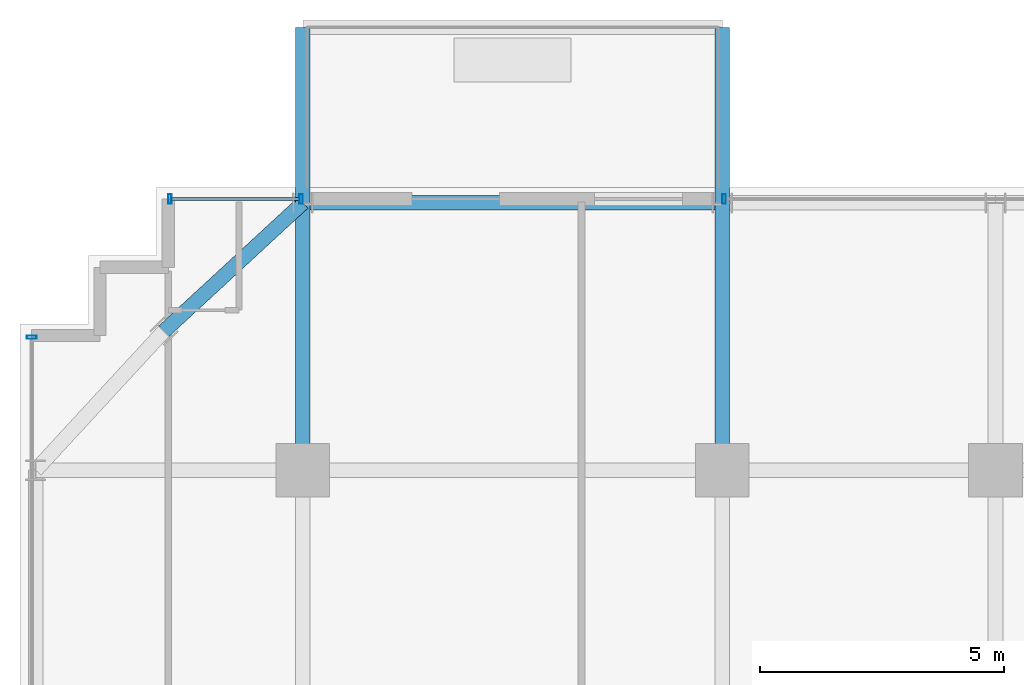
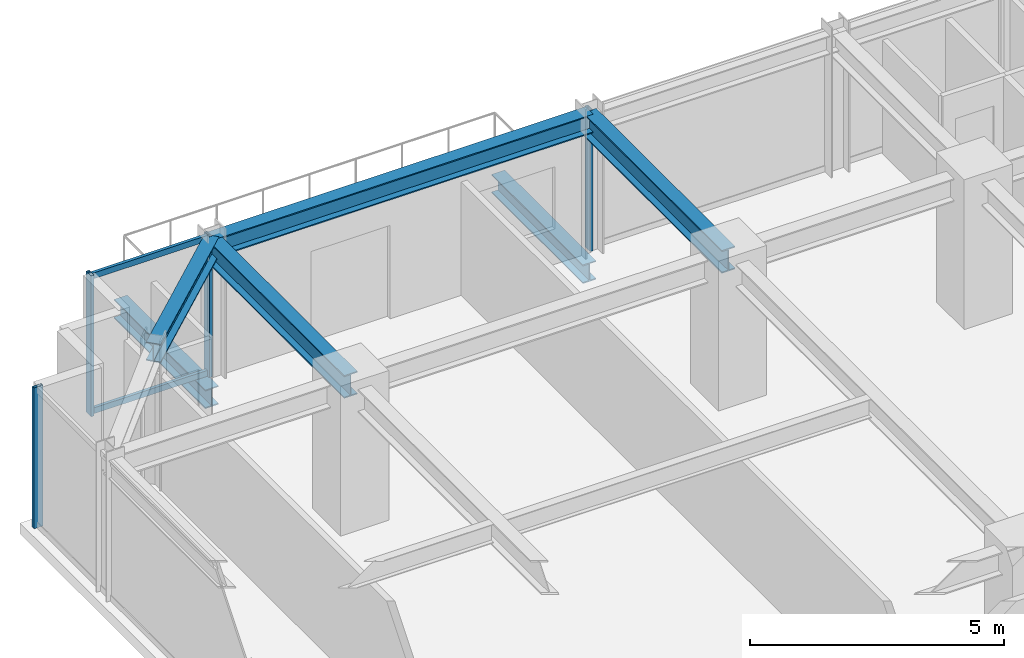
# One storey, part 22 of 36: 6 beams, 6 members, 3 elements without a shape of their own.
"""IFC4 building model written with IfcOpenShell, lengths in metres."""

from ifc_helpers import new_model, si_unit, direction, frame, origin, origin_2d, place, context, subcontext, project, spatial, hollow_rectangle, i_section, extrude, source, transform, mapped, material, material_profile, profile_set, type_object, element, aggregate, save


model = new_model("IFC4")

# Units and contexts
model_context = context("Model", 3, precision=1e-05, world=origin(), true_north=direction((0.0, 1.0)))
body_context = subcontext(model_context, "Body", "Model", "MODEL_VIEW")
ifc_project = project(units=[si_unit("LENGTHUNIT", "METRE"), si_unit("AREAUNIT", "SQUARE_METRE"), si_unit("VOLUMEUNIT", "CUBIC_METRE"), si_unit("PLANEANGLEUNIT", "RADIAN"), si_unit("MASSUNIT", "GRAM", prefix="KILO")], contexts=[model_context])

# Site, building, storey
site_placement = place(None, origin())
site = spatial("IfcSite", under=ifc_project, at=site_placement, CompositionType="ELEMENT")
building_placement = place(site_placement, origin())
building = spatial("IfcBuilding", under=site, at=building_placement, Name="Nahalor Promenade Grand Hotel", CompositionType="ELEMENT")
storey_placement = place(building_placement, frame((0.0, 0.0, 174.550048828125)))
storey = spatial("IfcBuildingStorey", under=building, at=storey_placement, Name="L44", CompositionType="ELEMENT", Elevation=174.550048828125)

# Beams
ifc_material_1 = material(Name="Steel S355JR", Category="steel")
ifc_material_profile_1 = material_profile(ifc_material_1, i_section(OverallWidth=0.3, OverallDepth=0.45, WebThickness=0.014, FlangeThickness=0.026, at=origin_2d()), Name="HEB 450")
ifc_profile_set_1 = profile_set([ifc_material_profile_1], Name="Steel S355JR")
beam_type_1 = type_object("IfcBeamType", Name="Beam-Outrigger-HEB450", PredefinedType="BEAM", material=ifc_profile_set_1)
shared_shape_1 = source(origin(), body_context, "Body", "SweptSolid", [
    extrude(i_section(OverallWidth=0.3, OverallDepth=0.45, WebThickness=0.014, FlangeThickness=0.026, at=origin_2d()), origin(), (0.0, 0.0, 1.0), 3.60009765625),
])
for number, where, z_axis, x_axis, name in (
    (1, (-17.0, 22.47998046875, -0.505126953125), (0.0, 1.0, 0.0), (-1.0, 0.0, 0.0), "BM-L44-BC-01-1"),
    (2, (-8.39990234375, 22.47998046875, -0.505126953125), (0.0, 1.0, 0.0), (-1.0, 0.0, 0.0), "BM-L44-BC-01-2"),
):
    element("IfcBeam", number, at=place(storey_placement, frame(where, z_axis=z_axis, x_axis=x_axis)), inside=storey, type_object=beam_type_1, Name=name, PredefinedType="BEAM", context=body_context, shape_type="MappedRepresentation", body=[
        mapped(shared_shape_1, transform((0.0, 0.0, 0.0), scale=1.0)),
    ])
ifc_material_profile_2 = material_profile(ifc_material_1, i_section(OverallWidth=0.3, OverallDepth=0.55, WebThickness=0.015, FlangeThickness=0.029, at=origin_2d()), Name="HEB 550")
ifc_profile_set_2 = profile_set([ifc_material_profile_2], Name="Steel S355JR")
beam_type_2 = type_object("IfcBeamType", Name="Beam-Girder-HEB550", PredefinedType="BEAM", material=ifc_profile_set_2)
shared_shape_2 = source(origin(), body_context, "Body", "SweptSolid", [
    extrude(i_section(OverallWidth=0.3, OverallDepth=0.55, WebThickness=0.015, FlangeThickness=0.029, at=origin_2d()), origin(), (0.0, 0.0, 1.0), 5.47998046875),
])
for number, where, z_axis, x_axis, name in (
    (3, (-17.0, 17.0, 3.114990234375), (0.0, 1.0, 0.0), (-1.0, 0.0, 0.0), "BM-L44-GY-0-4"),
    (4, (-8.39990234375, 17.0, 3.114990234375), (0.0, 1.0, 0.0), (-1.0, 0.0, 0.0), "BM-L44-GY-1-4"),
):
    element("IfcBeam", number, at=place(storey_placement, frame(where, z_axis=z_axis, x_axis=x_axis)), inside=storey, type_object=beam_type_2, Name=name, PredefinedType="BEAM", context=body_context, shape_type="MappedRepresentation", body=[
        mapped(shared_shape_2, transform((0.0, 0.0, 0.0), scale=1.0)),
    ])
ifc_material_profile_3 = material_profile(ifc_material_1, i_section(OverallWidth=0.3, OverallDepth=0.45, WebThickness=0.014, FlangeThickness=0.026, at=origin_2d()), Name="HEB 450")
ifc_profile_set_3 = profile_set([ifc_material_profile_3], Name="Steel S355JR")
beam_type_3 = type_object("IfcBeamType", Name="Beam-Spandrel-HEB450", PredefinedType="SPANDREL", material=ifc_profile_set_3)
shared_shape_3 = source(origin(), body_context, "Body", "SweptSolid", [
    extrude(i_section(OverallWidth=0.3, OverallDepth=0.45, WebThickness=0.014, FlangeThickness=0.026, at=origin_2d()), origin(), (0.0, 0.0, 1.0), 8.60009765625),
])
beam_1_placement = place(storey_placement, frame((-17.0, 22.47998046875, 3.1650390625), z_axis=(1.0, 0.0, 0.0), x_axis=(0.0, 1.0, 0.0)))
element("IfcBeam", 5, at=beam_1_placement, inside=storey, type_object=beam_type_3, Name="BM-L44-SP-N-0", PredefinedType="SPANDREL", context=body_context, shape_type="MappedRepresentation", body=[
    mapped(shared_shape_3, transform((0.0, 0.0, 0.0), scale=1.0)),
])
shared_shape_4 = source(origin(), body_context, "Body", "SweptSolid", [
    extrude(i_section(OverallWidth=0.3, OverallDepth=0.45, WebThickness=0.014, FlangeThickness=0.026, at=origin_2d()), origin(), (0.0, 0.0, 1.0), 3.878173828125),
])
beam_2_placement = place(storey_placement, frame((-17.0, 22.47998046875, 3.1650390625), z_axis=(-0.73492893846, -0.678144125843, 0.0), x_axis=(0.678144125843, -0.73492893846, 0.0)))
element("IfcBeam", 6, at=beam_2_placement, inside=storey, type_object=beam_type_3, Name="BM-L44-SPC-NW-1", PredefinedType="SPANDREL", context=body_context, shape_type="MappedRepresentation", body=[
    mapped(shared_shape_4, transform((0.0, 0.0, 0.0), scale=1.0)),
])

# Curtain wall, members
ifc_material_2 = material(Name="Anodised Bronze Aluminium EN AW-6063 T6", Category="aluminium")
curtain_wall_type = type_object("IfcCurtainWallType", Name="CW3 Elliptical-Void Collar Unitised Curtain Wall", PredefinedType="USERDEFINED", material=ifc_material_2)
curtain_wall_1_placement = place(storey_placement, origin())
curtain_wall_1 = element("IfcCurtainWall", 7, at=curtain_wall_1_placement, inside=storey, type_object=curtain_wall_type, Name="L44 Curtain Wall CW-L44-N-1", ObjectType="UNITISED_CURTAIN_WALL", PredefinedType="USERDEFINED")
ifc_material_profile_4 = material_profile(ifc_material_2, hollow_rectangle(XDim=0.07, YDim=0.14, WallThickness=0.004, at=origin_2d()), Name="CWT 70x140x4")
ifc_profile_set_4 = profile_set([ifc_material_profile_4], Name="Anodised Bronze Aluminium EN AW-6063 T6")
member_type_1 = type_object("IfcMemberType", Name="CWT3 Void Collar Transom 70x140", PredefinedType="USERDEFINED", material=ifc_profile_set_4)
shared_shape_5 = source(origin(), body_context, "Body", "SweptSolid", [
    extrude(hollow_rectangle(XDim=0.07, YDim=0.14, WallThickness=0.004, at=origin_2d()), origin(), (0.0, 0.0, 1.0), 2.619873046875),
])
member_1_placement = place(storey_placement, frame((-19.68994140625, 22.56005859375, 0.070068359375), z_axis=(1.0, 0.0, 0.0), x_axis=(0.0, 1.0, 0.0)))
member_1 = element("IfcMember", 8, at=member_1_placement, type_object=member_type_1, Name="CW-L44-N-1 Transom 0-0", ObjectType="TRANSOM", PredefinedType="USERDEFINED", context=body_context, shape_type="MappedRepresentation", body=[
    mapped(shared_shape_5, transform((0.0, 0.0, 0.0), scale=1.0)),
])
member_2_placement = place(storey_placement, frame((-19.68994140625, 22.56005859375, 3.320068359375), z_axis=(1.0, 0.0, 0.0), x_axis=(0.0, 1.0, 0.0)))
member_2 = element("IfcMember", 9, at=member_2_placement, type_object=member_type_1, Name="CW-L44-N-1 Transom 0-1", ObjectType="TRANSOM", PredefinedType="USERDEFINED", context=body_context, shape_type="MappedRepresentation", body=[
    mapped(shared_shape_5, transform((0.0, 0.0, 0.0), scale=1.0)),
])
ifc_material_profile_5 = material_profile(ifc_material_2, hollow_rectangle(XDim=0.07, YDim=0.2, WallThickness=0.005, at=origin_2d()), Name="CWM 70x200x5")
ifc_profile_set_5 = profile_set([ifc_material_profile_5], Name="Anodised Bronze Aluminium EN AW-6063 T6")
member_type_2 = type_object("IfcMemberType", Name="CWM3 Void Collar Mullion 70x200", PredefinedType="MULLION", material=ifc_profile_set_5)
shared_shape_6 = source(origin(), body_context, "Body", "SweptSolid", [
    extrude(hollow_rectangle(XDim=0.07, YDim=0.2, WallThickness=0.005, at=origin_2d()), origin(), (0.0, 0.0, 1.0), 3.389892578125),
])
member_3_placement = place(storey_placement, frame((-19.72509765625, 22.56005859375, 0.0), z_axis=(0.0, 0.0, 1.0), x_axis=(1.0, 0.0, 0.0)))
member_3 = element("IfcMember", 10, at=member_3_placement, type_object=member_type_2, Name="CW-L44-N-1 Mullion 0", PredefinedType="MULLION", context=body_context, shape_type="MappedRepresentation", body=[
    mapped(shared_shape_6, transform((0.0, 0.0, 0.0), scale=1.0)),
])
member_4_placement = place(storey_placement, frame((-17.034912109375, 22.56005859375, 0.0), z_axis=(0.0, 0.0, 1.0), x_axis=(1.0, 0.0, 0.0)))
member_4 = element("IfcMember", 11, at=member_4_placement, type_object=member_type_2, Name="CW-L44-N-1 Mullion 1", PredefinedType="MULLION", context=body_context, shape_type="MappedRepresentation", body=[
    mapped(shared_shape_6, transform((0.0, 0.0, 0.0), scale=1.0)),
])
aggregate(curtain_wall_1, [member_3, member_4, member_1, member_2])

# Curtain wall, member
curtain_wall_2_placement = place(storey_placement, origin())
curtain_wall_2 = element("IfcCurtainWall", 12, at=curtain_wall_2_placement, inside=storey, type_object=curtain_wall_type, Name="L44 Curtain Wall CW-L44-N-3", ObjectType="UNITISED_CURTAIN_WALL", PredefinedType="USERDEFINED")
member_5_placement = place(storey_placement, frame((-8.364990234375, 22.56005859375, 0.0), z_axis=(0.0, 0.0, 1.0), x_axis=(1.0, 0.0, 0.0)))
member_5 = element("IfcMember", 13, at=member_5_placement, type_object=member_type_2, Name="CW-L44-N-3 Mullion 0", PredefinedType="MULLION", context=body_context, shape_type="MappedRepresentation", body=[
    mapped(shared_shape_6, transform((0.0, 0.0, 0.0), scale=1.0)),
])
aggregate(curtain_wall_2, [member_5])

curtain_wall_3_placement = place(storey_placement, origin())
curtain_wall_3 = element("IfcCurtainWall", 14, at=curtain_wall_3_placement, inside=storey, type_object=curtain_wall_type, Name="L44 Curtain Wall CW-L44-W-2", ObjectType="UNITISED_CURTAIN_WALL", PredefinedType="USERDEFINED")
member_6_placement = place(storey_placement, frame((-22.56005859375, 19.72509765625, 0.0), z_axis=(0.0, 0.0, 1.0), x_axis=(0.0, 1.0, 0.0)))
member_6 = element("IfcMember", 15, at=member_6_placement, type_object=member_type_2, Name="CW-L44-W-2 Mullion 2", PredefinedType="MULLION", context=body_context, shape_type="MappedRepresentation", body=[
    mapped(shared_shape_6, transform((0.0, 0.0, 0.0), scale=1.0)),
])
aggregate(curtain_wall_3, [member_6])

save(model, "model.ifc")
